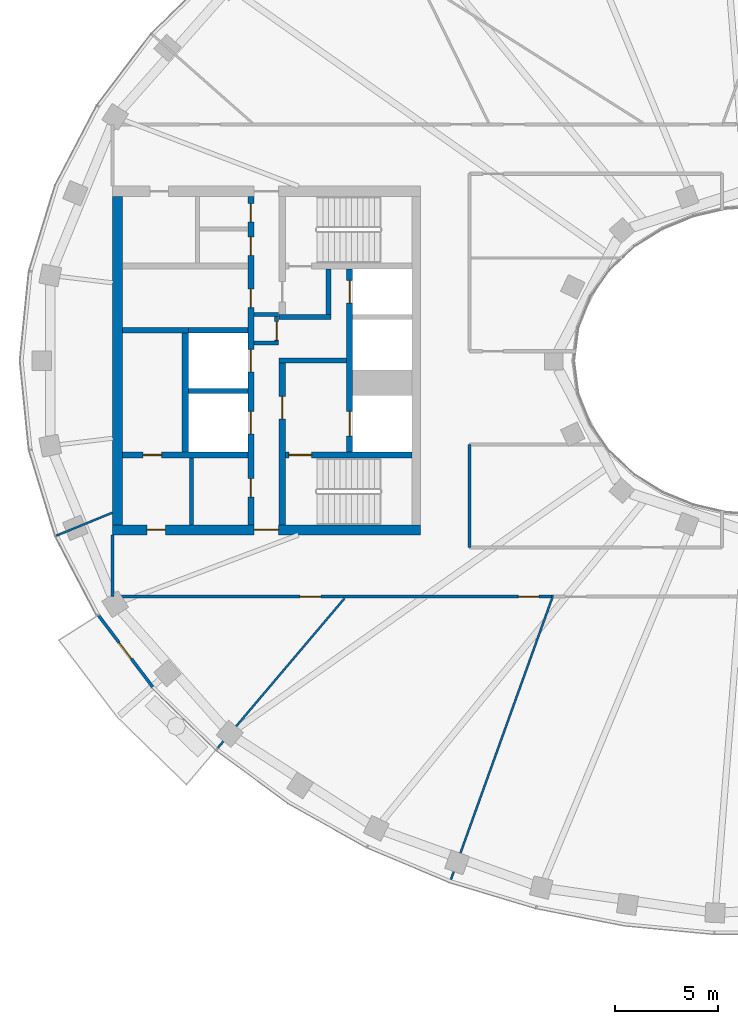
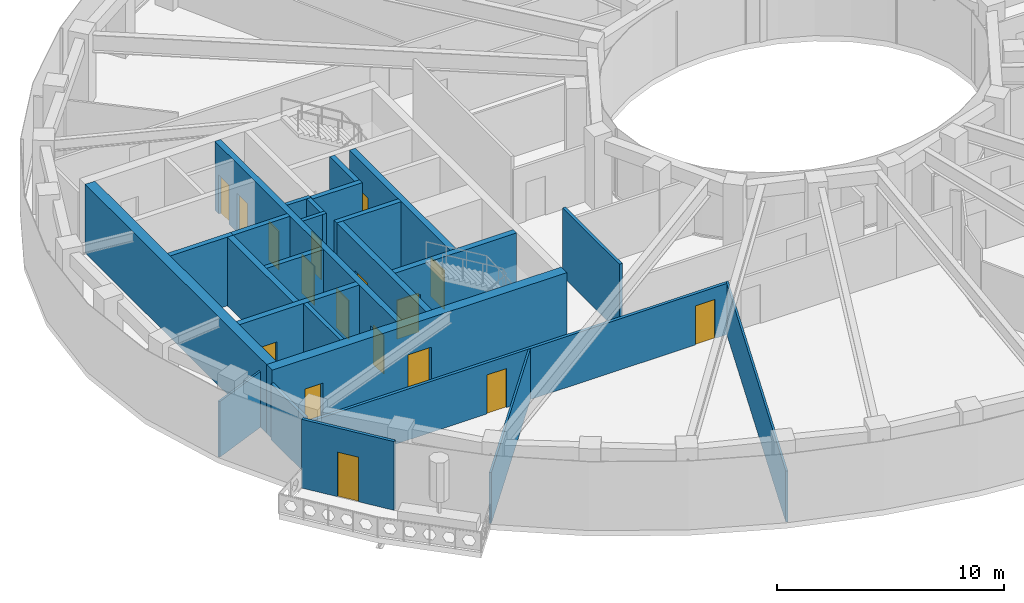
# One storey, part 3 of 16: 25 walls, 17 doors, 17 openings.
"""IFC4 building model written with IfcOpenShell, lengths in metres."""

import ifcopenshell
import ifcopenshell.guid

model = None  # the IFC model being written
_history = None  # IfcOwnerHistory: only IFC2X3 demands one
_inside = {}  # id of a spatial element -> (the spatial element, [elements in it])
_under = {}  # id of a project, library or spatial element -> (it, [spatial elements below it])
_declared = {}  # id of a project -> (the project, [libraries it declares])
_typed = {}  # id of a type object -> (the type object, [elements of that type])
_made_of = {}  # id of a material, layer set ... -> (it, [elements and type objects made of it])


def new_model(schema):
    """Start an empty IFC model of exactly this schema.

    Asked for "IFC4X3", IfcOpenShell would pick the latest addendum, in which some entities
    have other attributes; the version numbers below select the first issue.
    IFC2X3 requires an IfcOwnerHistory on every rooted entity: one is made here for all.
    """
    global model, _history
    if schema == "IFC4X3":
        model = ifcopenshell.file(schema_version=(4, 3, 0, 0))
    else:
        model = ifcopenshell.file(schema=schema)
    _inside.clear()
    _under.clear()
    _declared.clear()
    _typed.clear()
    _made_of.clear()
    _history = None
    if model.schema == "IFC2X3":
        org = make("IfcOrganization", Name="unknown")
        user = make(
            "IfcPersonAndOrganization",
            ThePerson=make("IfcPerson", FamilyName="unknown"),
            TheOrganization=org,
        )
        app = make(
            "IfcApplication",
            ApplicationDeveloper=org,
            Version="unknown",
            ApplicationFullName="unknown",
            ApplicationIdentifier="unknown",
        )
        _history = make(
            "IfcOwnerHistory",
            OwningUser=user,
            OwningApplication=app,
            ChangeAction="ADDED",
            CreationDate=0,
        )
    return model


def make(cls, **values):
    """One entity of the class cls with the attributes given. An attribute that is None is left unset."""
    return model.create_entity(
        cls, **{name: value for name, value in values.items() if value is not None}
    )


def rooted(cls, **values):
    """An entity with a GlobalId (a new one), such as an element, a storey or a relation."""
    return make(cls, GlobalId=ifcopenshell.guid.new(), OwnerHistory=_history, **values)


def si_unit(unit_type, name, prefix=None):
    """IfcSIUnit, for example si_unit("LENGTHUNIT", "METRE", prefix="MILLI")."""
    return make("IfcSIUnit", UnitType=unit_type, Prefix=prefix, Name=name)


def assignment(units):
    """IfcUnitAssignment: the units of a project."""
    return None if units is None else make("IfcUnitAssignment", Units=units)


def point(xyz):
    """IfcCartesianPoint."""
    return None if xyz is None else make("IfcCartesianPoint", Coordinates=xyz)


def direction(xyz):
    """IfcDirection."""
    return None if xyz is None else make("IfcDirection", DirectionRatios=xyz)


def frame(location, z_axis=None, x_axis=None):
    """IfcAxis2Placement3D, a coordinate frame: its origin and axes. An axis left out is left unset."""
    return make(
        "IfcAxis2Placement3D",
        Location=point(location),
        Axis=direction(z_axis),
        RefDirection=direction(x_axis),
    )


def frame_2d(location, x_axis=None):
    """IfcAxis2Placement2D, a coordinate frame in the plane: its origin and x axis."""
    return make(
        "IfcAxis2Placement2D", Location=point(location), RefDirection=direction(x_axis)
    )


def origin():
    """The frame at (0, 0, 0) with its axes left unset."""
    return frame((0.0, 0.0, 0.0))


def place(relative_to, where):
    """IfcLocalPlacement: puts the frame where relative to a parent placement (None: the world)."""
    return make(
        "IfcLocalPlacement", PlacementRelTo=relative_to, RelativePlacement=where
    )


def context(
    kind, dimensions, precision=None, world=None, true_north=None, identifier=None
):
    """IfcGeometricRepresentationContext, for example the 3D "Model" context."""
    return make(
        "IfcGeometricRepresentationContext",
        ContextIdentifier=identifier,
        ContextType=kind,
        CoordinateSpaceDimension=dimensions,
        Precision=precision,
        WorldCoordinateSystem=world,
        TrueNorth=true_north,
    )


def subcontext(parent, identifier, kind, view, scale=None):
    """IfcGeometricRepresentationSubContext, for example "Body" below "Model"."""
    return make(
        "IfcGeometricRepresentationSubContext",
        ContextIdentifier=identifier,
        ContextType=kind,
        ParentContext=parent,
        TargetScale=scale,
        TargetView=view,
    )


def project(units=None, contexts=None):
    """IfcProject with its units and contexts."""
    return rooted(
        "IfcProject",
        Name="project",
        RepresentationContexts=contexts,
        UnitsInContext=assignment(units),
    )


def spatial(cls, under=None, at=None, **own):
    """A site, building, storey or space (cls), placed at a placement, below another one or the project."""
    s = rooted(cls, ObjectPlacement=at, **own)
    if under is not None:
        _under.setdefault(under.id(), (under, []))[1].append(s)
    return s


def profile(cls, at=None, kind="AREA", **sizes):
    """A parametric profile (cls). Its sizes go by their IFC names, for example OverallWidth=200.0."""
    return make(cls, ProfileType=kind, Position=at, **sizes)


def rectangle(**sizes):
    """IfcRectangleProfileDef."""
    return profile("IfcRectangleProfileDef", **sizes)


def extrude(swept, where, along, depth):
    """IfcExtrudedAreaSolid: the profile swept, set in the frame where, extruded along a direction by depth."""
    return make(
        "IfcExtrudedAreaSolid",
        SweptArea=swept,
        Position=where,
        ExtrudedDirection=direction(along),
        Depth=depth,
    )


def shape(context_of_items, identifier, shape_type, items):
    """IfcShapeRepresentation: the items that make up one representation, for example the "Body"."""
    return make(
        "IfcShapeRepresentation",
        ContextOfItems=context_of_items,
        RepresentationIdentifier=identifier,
        RepresentationType=shape_type,
        Items=items,
    )


def material(Name=None, Category=None):
    """IfcMaterial."""
    return make("IfcMaterial", Name=Name, Category=Category)


def layer(
    of_material, thickness, ventilated=None, Name=None, Category=None, Priority=None
):
    """IfcMaterialLayer: one layer of a wall or slab, of a material (None: an air gap)."""
    return make(
        "IfcMaterialLayer",
        Material=of_material,
        LayerThickness=thickness,
        IsVentilated=ventilated,
        Name=Name,
        Category=Category,
        Priority=Priority,
    )


def layer_set(layers, Name=None):
    """IfcMaterialLayerSet."""
    return make("IfcMaterialLayerSet", MaterialLayers=layers, LayerSetName=Name)


def made_of(thing, what):
    """Note that an element or type object is made of a material, layer set ...; save() writes the relation."""
    if what is not None:
        _made_of.setdefault(what.id(), (what, []))[1].append(thing)
    return thing


def type_object(cls, material=None, **own):
    """A type object (cls), such as IfcWallType, which elements share."""
    return made_of(rooted(cls, **own), material)


def element(
    cls,
    number,
    at=None,
    inside=None,
    cuts=None,
    type_object=None,
    material=None,
    context=None,
    identifier="Body",
    shape_type=None,
    held_by="IfcProductDefinitionShape",
    body=None,
    shapes=None,
    **own,
):
    """One element of the class cls, such as IfcWall. Its Tag is "e" and its number.

    at: its placement. inside: the storey or other place that contains it. cuts: it is an
    opening in that element (IfcRelVoidsElement). A single representation is given by context,
    identifier, shape_type and body (its items); several are given by shapes. held_by: the class
    of the entity that holds the representations. save() writes the other relations.
    """
    e = rooted(cls, Tag="e%d" % number, ObjectPlacement=at, **own)
    if body is not None:
        shapes = [shape(context, identifier, shape_type, body)]
    if shapes is not None:
        e.Representation = make(held_by, Representations=shapes)
    if inside is not None:
        _inside.setdefault(inside.id(), (inside, []))[1].append(e)
    if cuts is not None:
        rooted(
            "IfcRelVoidsElement", RelatingBuildingElement=cuts, RelatedOpeningElement=e
        )
    if type_object is not None:
        _typed.setdefault(type_object.id(), (type_object, []))[1].append(e)
    return made_of(e, material)


def fill(opening, filler):
    """IfcRelFillsElement: the door or window that sits in an opening."""
    return rooted(
        "IfcRelFillsElement",
        RelatingOpeningElement=opening,
        RelatedBuildingElement=filler,
    )


def aggregate(whole, parts):
    """IfcRelAggregates: a whole, such as a stair, and the parts it consists of."""
    return rooted("IfcRelAggregates", RelatingObject=whole, RelatedObjects=parts)


def save(model, path):
    """Write the relations noted so far, then the file.

    IfcRelAggregates (storeys below a building ...), IfcRelContainedInSpatialStructure (elements
    in a storey), IfcRelDefinesByType, IfcRelAssociatesMaterial and IfcRelDeclares: one each for
    every whole, place, type object, material and project.
    """
    for whole, parts in _under.values():
        aggregate(whole, parts)
    for where, things in _inside.values():
        rooted(
            "IfcRelContainedInSpatialStructure",
            RelatedElements=things,
            RelatingStructure=where,
        )
    for kind, things in _typed.values():
        rooted("IfcRelDefinesByType", RelatedObjects=things, RelatingType=kind)
    for what, things in _made_of.values():
        rooted("IfcRelAssociatesMaterial", RelatedObjects=things, RelatingMaterial=what)
    for by, libraries in _declared.values():
        rooted("IfcRelDeclares", RelatingContext=by, RelatedDefinitions=libraries)
    model.write(path)


model = new_model("IFC4")

# Units and contexts
model_context = context("Model", 3, precision=1e-05, world=origin(), true_north=direction((0.0, 1.0)))
body_context = subcontext(model_context, "Body", "Model", "MODEL_VIEW")
ifc_project = project(units=[si_unit("LENGTHUNIT", "METRE"), si_unit("AREAUNIT", "SQUARE_METRE"), si_unit("VOLUMEUNIT", "CUBIC_METRE"), si_unit("PLANEANGLEUNIT", "RADIAN"), si_unit("MASSUNIT", "GRAM", prefix="KILO")], contexts=[model_context])

# Site, building, storey
site_placement = place(None, origin())
site = spatial("IfcSite", under=ifc_project, at=site_placement, CompositionType="ELEMENT")
building_placement = place(site_placement, origin())
building = spatial("IfcBuilding", under=site, at=building_placement, Name="Noorbagh Ring Tower", CompositionType="ELEMENT")
storey_placement = place(building_placement, frame((0.0, 0.0, 299.0)))
storey = spatial("IfcBuildingStorey", under=building, at=storey_placement, Name="L64", CompositionType="ELEMENT", Elevation=299.0)

# Walls
ifc_material_1 = material(Name="Gypsum board on steel studs", Category="steel")
ifc_layer_1 = layer(ifc_material_1, 0.199951171875)
ifc_layer_set_1 = layer_set([ifc_layer_1], Name="Gypsum board on steel studs")
wall_type_1 = type_object("IfcWallType", Name="CORE-PARTITION-200", PredefinedType="PARTITIONING", material=ifc_layer_set_1)
for number, where, z_axis, x_axis, name in (
    (1, (-23.39990234375, 0.85009765625, 0.0), (0.0, 0.0, 1.0), (-1.0, 0.0, 0.0), "Core partition W"),
    (2, (-23.39990234375, 2.25, 0.0), (0.0, 0.0, 1.0), (-1.0, 0.0, 0.0), "Core partition W"),
):
    element("IfcWall", number, at=place(storey_placement, frame(where, z_axis=z_axis, x_axis=x_axis)), inside=storey, type_object=wall_type_1, Name=name, PredefinedType="PARTITIONING", context=body_context, shape_type="SweptSolid", body=[
        extrude(rectangle(XDim=1.2001953125, YDim=0.199951171875, at=frame_2d((0.60009765625, 0.0))), origin(), (0.0, 0.0, 1.0), 3.699951171875),
    ])

# Wall, opening, door
wall_1_placement = place(storey_placement, frame((-23.5, 0.75, 0.0), z_axis=(0.0, 0.0, 1.0), x_axis=(0.0, 1.0, 0.0)))
wall_1 = element("IfcWall", 3, at=wall_1_placement, inside=storey, type_object=wall_type_1, Name="Core partition W", PredefinedType="PARTITIONING", context=body_context, shape_type="SweptSolid", body=[
    extrude(rectangle(XDim=1.60009765625, YDim=0.199951171875, at=frame_2d((0.800048828125, 0.0))), origin(), (0.0, 0.0, 1.0), 3.699951171875),
])
opening_1_placement = place(wall_1_placement, frame((0.25, 0.0, 0.0)))
opening_1 = element("IfcOpeningElement", 4, at=opening_1_placement, cuts=wall_1, Name="Opening L64-CW17", PredefinedType="OPENING", context=body_context, shape_type="SweptSolid", body=[
    extrude(rectangle(XDim=0.89990234375, YDim=2.10009765625, at=frame_2d((0.449951171875, 1.050048828125))), frame((0.0, 0.10986328125, 0.0), z_axis=(0.0, -1.0, 0.0), x_axis=(1.0, 0.0, 0.0)), (0.0, 0.0, 1.0), 0.219970703125),
])
ifc_material_2 = material(Name="Steel door leaf", Category="steel")
door_type_1 = type_object("IfcDoorType", Name="CORE-DOOR-DROOM", OperationType="SINGLE_SWING_LEFT", PredefinedType="DOOR", material=ifc_material_2)
door_1_placement = place(opening_1_placement, origin())
door_1 = element("IfcDoor", 5, at=door_1_placement, inside=storey, type_object=door_type_1, Name="Core room door L64-CW17", OperationType="SINGLE_SWING_RIGHT", OverallHeight=2.10009765625, OverallWidth=0.89990234375, PredefinedType="DOOR", context=body_context, shape_type="SweptSolid", body=[
    extrude(rectangle(XDim=0.89990234375, YDim=2.10009765625, at=frame_2d((0.449951171875, 1.050048828125))), frame((0.0, 0.02490234375, 0.0), z_axis=(0.0, -1.0, 0.0), x_axis=(1.0, 0.0, 0.0)), (0.0, 0.0, 1.0), 0.050048828125),
])
fill(opening_1, door_1)

# Walls
wall_2_placement = place(storey_placement, frame((-27.64990234375, -8.0, 0.0), z_axis=(0.0, 0.0, 1.0), x_axis=(0.0, 1.0, 0.0)))
element("IfcWall", 6, at=wall_2_placement, inside=storey, type_object=wall_type_1, Name="Core partition W", PredefinedType="PARTITIONING", context=body_context, shape_type="SweptSolid", body=[
    extrude(rectangle(XDim=3.25, YDim=0.199951171875, at=frame_2d((1.625, 0.0))), origin(), (0.0, 0.0, 1.0), 3.699951171875),
])
ifc_material_3 = material(Name="Concrete C50/60", Category="concrete")
ifc_layer_2 = layer(ifc_material_3, 0.25)
ifc_layer_set_2 = layer_set([ifc_layer_2], Name="Concrete C50/60")
wall_type_2 = type_object("IfcWallType", Name="CORE-WALL-250-C50-60-EI120", PredefinedType="SHEAR", material=ifc_layer_set_2)
wall_3_placement = place(storey_placement, frame((-27.800048828125, 1.47509765625, 0.0), z_axis=(0.0, 0.0, 1.0), x_axis=(-1.0, 0.0, 0.0)))
element("IfcWall", 7, at=wall_3_placement, inside=storey, type_object=wall_type_2, Name="Core wall W", PredefinedType="SHEAR", context=body_context, shape_type="SweptSolid", body=[
    extrude(rectangle(XDim=3.199951171875, YDim=0.25, at=frame_2d((1.60009765625, 0.0))), origin(), (0.0, 0.0, 1.0), 3.699951171875),
])
for number, where, z_axis, x_axis, name in (
    (8, (-24.89990234375, -1.47509765625, 0.0), (0.0, 0.0, 1.0), (-1.0, 0.0, 0.0), "Core wall W"),
    (9, (-24.89990234375, 1.47509765625, 0.0), (0.0, 0.0, 1.0), (-1.0, 0.0, 0.0), "Core wall W"),
):
    element("IfcWall", number, at=place(storey_placement, frame(where, z_axis=z_axis, x_axis=x_axis)), inside=storey, type_object=wall_type_2, Name=name, PredefinedType="SHEAR", context=body_context, shape_type="SweptSolid", body=[
        extrude(rectangle(XDim=2.900146484375, YDim=0.25, at=frame_2d((1.4501953125, 0.0))), origin(), (0.0, 0.0, 1.0), 3.699951171875),
    ])
ifc_material_4 = material(Name="Concrete C50/60", Category="concrete")
ifc_layer_3 = layer(ifc_material_4, 0.25)
ifc_layer_set_3 = layer_set([ifc_layer_3], Name="Concrete C50/60")
wall_type_3 = type_object("IfcWallType", Name="CORE-WALL-250-C50-60-EI240", PredefinedType="SHEAR", material=ifc_layer_set_3)
wall_4_placement = place(storey_placement, frame((-20.10009765625, 0.0, 0.0), z_axis=(0.0, 0.0, 1.0), x_axis=(-1.0, 0.0, 0.0)))
element("IfcWall", 10, at=wall_4_placement, inside=storey, type_object=wall_type_3, Name="Core wall W", PredefinedType="SHEAR", context=body_context, shape_type="SweptSolid", body=[
    extrude(rectangle(XDim=3.27978515625, YDim=0.25, at=frame_2d((1.639892578125, 0.0))), origin(), (0.0, 0.0, 1.0), 3.699951171875),
])
wall_5_placement = place(storey_placement, frame((-20.85009765625, 2.125, 0.0), z_axis=(0.0, 0.0, 1.0), x_axis=(-1.0, 0.0, 0.0)))
element("IfcWall", 11, at=wall_5_placement, inside=storey, type_object=wall_type_3, Name="Core wall W", PredefinedType="SHEAR", context=body_context, shape_type="SweptSolid", body=[
    extrude(rectangle(XDim=2.52978515625, YDim=0.25, at=frame_2d((1.264892578125, 0.0))), origin(), (0.0, 0.0, 1.0), 3.699951171875),
])
wall_6_placement = place(storey_placement, frame((-20.97509765625, 2.25, 0.0), z_axis=(0.0, 0.0, 1.0), x_axis=(0.0, 1.0, 0.0)))
element("IfcWall", 12, at=wall_6_placement, inside=storey, type_object=wall_type_3, Name="Core wall W", PredefinedType="SHEAR", context=body_context, shape_type="SweptSolid", body=[
    extrude(rectangle(XDim=2.199951171875, YDim=0.25, at=frame_2d((1.10009765625, 0.0))), origin(), (0.0, 0.0, 1.0), 3.699951171875),
])
ifc_material_5 = material(Name="Concrete C50/60", Category="concrete")
ifc_layer_4 = layer(ifc_material_5, 0.300048828125)
ifc_layer_set_4 = layer_set([ifc_layer_4], Name="Concrete C50/60")
wall_type_4 = type_object("IfcWallType", Name="CORE-WALL-300-C50-60-EI120", PredefinedType="SHEAR", material=ifc_layer_set_4)
wall_7_placement = place(storey_placement, frame((-27.949951171875, -4.449951171875, 0.0), z_axis=(0.0, 0.0, 1.0), x_axis=(0.0, 1.0, 0.0)))
element("IfcWall", 13, at=wall_7_placement, inside=storey, type_object=wall_type_4, Name="Core wall W", PredefinedType="SHEAR", context=body_context, shape_type="SweptSolid", body=[
    extrude(rectangle(XDim=5.800048828125, YDim=0.300048828125, at=frame_2d((2.89990234375, 0.0))), origin(), (0.0, 0.0, 1.0), 3.699951171875),
])

# Wall, openings, doors
wall_8_placement = place(storey_placement, frame((-19.949951171875, -4.449951171875, 0.0), z_axis=(0.0, 0.0, 1.0), x_axis=(0.0, 1.0, 0.0)))
wall_8 = element("IfcWall", 14, at=wall_8_placement, inside=storey, type_object=wall_type_4, Name="Core wall W", PredefinedType="SHEAR", context=body_context, shape_type="SweptSolid", body=[
    extrude(rectangle(XDim=8.89990234375, YDim=0.300048828125, at=frame_2d((4.449951171875, 0.0))), origin(), (0.0, 0.0, 1.0), 3.699951171875),
])
opening_2_placement = place(wall_8_placement, frame((0.77490234375, 0.0, 0.0)))
opening_2 = element("IfcOpeningElement", 15, at=opening_2_placement, cuts=wall_8, Name="Opening L64-CW01", PredefinedType="OPENING", context=body_context, shape_type="SweptSolid", body=[
    extrude(rectangle(XDim=1.199951171875, YDim=2.10009765625, at=frame_2d((0.60009765625, 1.050048828125))), frame((0.0, 0.16015625, 0.0), z_axis=(0.0, -1.0, 0.0), x_axis=(1.0, 0.0, 0.0)), (0.0, 0.0, 1.0), 0.320068359375),
])
opening_3_placement = place(wall_8_placement, frame((7.25, 0.0, 0.0)))
opening_3 = element("IfcOpeningElement", 16, at=opening_3_placement, cuts=wall_8, Name="Opening L64-CW02", PredefinedType="OPENING", context=body_context, shape_type="SweptSolid", body=[
    extrude(rectangle(XDim=1.10009765625, YDim=2.10009765625, at=frame_2d((0.550048828125, 1.050048828125))), frame((0.0, 0.16015625, 0.0), z_axis=(0.0, -1.0, 0.0), x_axis=(1.0, 0.0, 0.0)), (0.0, 0.0, 1.0), 0.320068359375),
])
ifc_material_6 = material(Name="Steel door leaf", Category="steel")
door_type_2 = type_object("IfcDoorType", Name="CORE-DOOR-LD", OperationType="DOUBLE_DOOR_SLIDING", PredefinedType="DOOR", material=ifc_material_6)
door_2_placement = place(opening_3_placement, origin())
door_2 = element("IfcDoor", 17, at=door_2_placement, inside=storey, type_object=door_type_2, Name="Landing door HR1 L64-CW02", OperationType="DOUBLE_DOOR_SLIDING", OverallHeight=2.10009765625, OverallWidth=1.10009765625, PredefinedType="DOOR", context=body_context, shape_type="SweptSolid", body=[
    extrude(rectangle(XDim=1.10009765625, YDim=2.10009765625, at=frame_2d((0.550048828125, 1.050048828125))), frame((0.0, 0.02490234375, 0.0), z_axis=(0.0, -1.0, 0.0), x_axis=(1.0, 0.0, 0.0)), (0.0, 0.0, 1.0), 0.050048828125),
])
fill(opening_3, door_2)
ifc_material_7 = material(Name="Steel door leaf", Category="steel")
door_type_3 = type_object("IfcDoorType", Name="CORE-DOOR-LDW", OperationType="DOUBLE_DOOR_SLIDING", PredefinedType="DOOR", material=ifc_material_7)
door_3_placement = place(opening_2_placement, origin())
door_3 = element("IfcDoor", 18, at=door_3_placement, inside=storey, type_object=door_type_3, Name="Landing door FF1 L64-CW01", OperationType="DOUBLE_DOOR_SLIDING", OverallHeight=2.10009765625, OverallWidth=1.199951171875, PredefinedType="DOOR", context=body_context, shape_type="SweptSolid", body=[
    extrude(rectangle(XDim=1.199951171875, YDim=2.10009765625, at=frame_2d((0.60009765625, 1.050048828125))), frame((0.0, 0.02490234375, 0.0), z_axis=(0.0, -1.0, 0.0), x_axis=(1.0, 0.0, 0.0)), (0.0, 0.0, 1.0), 0.050048828125),
])
fill(opening_2, door_3)

wall_9_placement = place(storey_placement, frame((-24.75, -8.0, 0.0), z_axis=(0.0, 0.0, 1.0), x_axis=(0.0, 1.0, 0.0)))
wall_9 = element("IfcWall", 19, at=wall_9_placement, inside=storey, type_object=wall_type_4, Name="Core wall W", PredefinedType="SHEAR", context=body_context, shape_type="SweptSolid", body=[
    extrude(rectangle(XDim=16.0, YDim=0.300048828125, at=frame_2d((8.0, 0.0))), origin(), (0.0, 0.0, 1.0), 3.699951171875),
])
opening_4_placement = place(wall_9_placement, frame((4.425048828125, 0.0, 0.0)))
opening_4 = element("IfcOpeningElement", 20, at=opening_4_placement, cuts=wall_9, Name="Opening L64-CW03", PredefinedType="OPENING", context=body_context, shape_type="SweptSolid", body=[
    extrude(rectangle(XDim=1.10009765625, YDim=2.10009765625, at=frame_2d((0.550048828125, 1.050048828125))), frame((0.0, 0.16015625, 0.0), z_axis=(0.0, -1.0, 0.0), x_axis=(1.0, 0.0, 0.0)), (0.0, 0.0, 1.0), 0.320068359375),
])
opening_5_placement = place(wall_9_placement, frame((7.449951171875, 0.0, 0.0)))
opening_5 = element("IfcOpeningElement", 21, at=opening_5_placement, cuts=wall_9, Name="Opening L64-CW04", PredefinedType="OPENING", context=body_context, shape_type="SweptSolid", body=[
    extrude(rectangle(XDim=1.10009765625, YDim=2.10009765625, at=frame_2d((0.550048828125, 1.050048828125))), frame((0.0, 0.16015625, 0.0), z_axis=(0.0, -1.0, 0.0), x_axis=(1.0, 0.0, 0.0)), (0.0, 0.0, 1.0), 0.320068359375),
])
opening_6_placement = place(wall_9_placement, frame((10.574951171875, 0.0, 0.0)))
opening_6 = element("IfcOpeningElement", 22, at=opening_6_placement, cuts=wall_9, Name="Opening L64-CW11", PredefinedType="OPENING", context=body_context, shape_type="SweptSolid", body=[
    extrude(rectangle(XDim=0.89990234375, YDim=2.10009765625, at=frame_2d((0.449951171875, 1.050048828125))), frame((0.0, 0.16015625, 0.0), z_axis=(0.0, -1.0, 0.0), x_axis=(1.0, 0.0, 0.0)), (0.0, 0.0, 1.0), 0.320068359375),
])
opening_7_placement = place(wall_9_placement, frame((13.125, 0.0, 0.0)))
opening_7 = element("IfcOpeningElement", 23, at=opening_7_placement, cuts=wall_9, Name="Opening L64-CW12", PredefinedType="OPENING", context=body_context, shape_type="SweptSolid", body=[
    extrude(rectangle(XDim=0.89990234375, YDim=2.10009765625, at=frame_2d((0.449951171875, 1.050048828125))), frame((0.0, 0.16015625, 0.0), z_axis=(0.0, -1.0, 0.0), x_axis=(1.0, 0.0, 0.0)), (0.0, 0.0, 1.0), 0.320068359375),
])
opening_8_placement = place(wall_9_placement, frame((14.75, 0.0, 0.0)))
opening_8 = element("IfcOpeningElement", 24, at=opening_8_placement, cuts=wall_9, Name="Opening L64-CW13", PredefinedType="OPENING", context=body_context, shape_type="SweptSolid", body=[
    extrude(rectangle(XDim=0.89990234375, YDim=2.10009765625, at=frame_2d((0.449951171875, 1.050048828125))), frame((0.0, 0.16015625, 0.0), z_axis=(0.0, -1.0, 0.0), x_axis=(1.0, 0.0, 0.0)), (0.0, 0.0, 1.0), 0.320068359375),
])
opening_9_placement = place(wall_9_placement, frame((1.35009765625, 0.0, 0.0)))
opening_9 = element("IfcOpeningElement", 25, at=opening_9_placement, cuts=wall_9, Name="Opening L64-CW15", PredefinedType="OPENING", context=body_context, shape_type="SweptSolid", body=[
    extrude(rectangle(XDim=0.89990234375, YDim=2.10009765625, at=frame_2d((0.449951171875, 1.050048828125))), frame((0.0, 0.16015625, 0.0), z_axis=(0.0, -1.0, 0.0), x_axis=(1.0, 0.0, 0.0)), (0.0, 0.0, 1.0), 0.320068359375),
])
door_4_placement = place(opening_6_placement, origin())
door_4 = element("IfcDoor", 26, at=door_4_placement, inside=storey, type_object=door_type_1, Name="Core room door L64-CW11", OperationType="SINGLE_SWING_RIGHT", OverallHeight=2.10009765625, OverallWidth=0.89990234375, PredefinedType="DOOR", context=body_context, shape_type="SweptSolid", body=[
    extrude(rectangle(XDim=0.89990234375, YDim=2.10009765625, at=frame_2d((0.449951171875, 1.050048828125))), frame((0.0, 0.02490234375, 0.0), z_axis=(0.0, -1.0, 0.0), x_axis=(1.0, 0.0, 0.0)), (0.0, 0.0, 1.0), 0.050048828125),
])
fill(opening_6, door_4)
door_5_placement = place(opening_7_placement, origin())
door_5 = element("IfcDoor", 27, at=door_5_placement, inside=storey, type_object=door_type_1, Name="Core room door L64-CW12", OperationType="SINGLE_SWING_LEFT", OverallHeight=2.10009765625, OverallWidth=0.89990234375, PredefinedType="DOOR", context=body_context, shape_type="SweptSolid", body=[
    extrude(rectangle(XDim=0.89990234375, YDim=2.10009765625, at=frame_2d((0.449951171875, 1.050048828125))), frame((0.0, 0.02490234375, 0.0), z_axis=(0.0, -1.0, 0.0), x_axis=(1.0, 0.0, 0.0)), (0.0, 0.0, 1.0), 0.050048828125),
])
fill(opening_7, door_5)
door_6_placement = place(opening_8_placement, origin())
door_6 = element("IfcDoor", 28, at=door_6_placement, inside=storey, type_object=door_type_1, Name="Core room door L64-CW13", OperationType="SINGLE_SWING_RIGHT", OverallHeight=2.10009765625, OverallWidth=0.89990234375, PredefinedType="DOOR", context=body_context, shape_type="SweptSolid", body=[
    extrude(rectangle(XDim=0.89990234375, YDim=2.10009765625, at=frame_2d((0.449951171875, 1.050048828125))), frame((0.0, 0.02490234375, 0.0), z_axis=(0.0, -1.0, 0.0), x_axis=(1.0, 0.0, 0.0)), (0.0, 0.0, 1.0), 0.050048828125),
])
fill(opening_8, door_6)
door_7_placement = place(opening_9_placement, origin())
door_7 = element("IfcDoor", 29, at=door_7_placement, inside=storey, type_object=door_type_1, Name="Core room door L64-CW15", OperationType="SINGLE_SWING_LEFT", OverallHeight=2.10009765625, OverallWidth=0.89990234375, PredefinedType="DOOR", context=body_context, shape_type="SweptSolid", body=[
    extrude(rectangle(XDim=0.89990234375, YDim=2.10009765625, at=frame_2d((0.449951171875, 1.050048828125))), frame((0.0, 0.02490234375, 0.0), z_axis=(0.0, -1.0, 0.0), x_axis=(1.0, 0.0, 0.0)), (0.0, 0.0, 1.0), 0.050048828125),
])
fill(opening_9, door_7)
door_8_placement = place(opening_4_placement, origin())
door_8 = element("IfcDoor", 30, at=door_8_placement, inside=storey, type_object=door_type_2, Name="Landing door HR5 L64-CW03", OperationType="DOUBLE_DOOR_SLIDING", OverallHeight=2.10009765625, OverallWidth=1.10009765625, PredefinedType="DOOR", context=body_context, shape_type="SweptSolid", body=[
    extrude(rectangle(XDim=1.10009765625, YDim=2.10009765625, at=frame_2d((0.550048828125, 1.050048828125))), frame((0.0, 0.02490234375, 0.0), z_axis=(0.0, -1.0, 0.0), x_axis=(1.0, 0.0, 0.0)), (0.0, 0.0, 1.0), 0.050048828125),
])
fill(opening_4, door_8)
door_9_placement = place(opening_5_placement, origin())
door_9 = element("IfcDoor", 31, at=door_9_placement, inside=storey, type_object=door_type_2, Name="Landing door HR6 L64-CW04", OperationType="DOUBLE_DOOR_SLIDING", OverallHeight=2.10009765625, OverallWidth=1.10009765625, PredefinedType="DOOR", context=body_context, shape_type="SweptSolid", body=[
    extrude(rectangle(XDim=1.10009765625, YDim=2.10009765625, at=frame_2d((0.550048828125, 1.050048828125))), frame((0.0, 0.02490234375, 0.0), z_axis=(0.0, -1.0, 0.0), x_axis=(1.0, 0.0, 0.0)), (0.0, 0.0, 1.0), 0.050048828125),
])
fill(opening_5, door_9)

# Wall, opening, door
ifc_material_8 = material(Name="Concrete C50/60", Category="concrete")
ifc_layer_5 = layer(ifc_material_8, 0.300048828125)
ifc_layer_set_5 = layer_set([ifc_layer_5], Name="Concrete C50/60")
wall_type_5 = type_object("IfcWallType", Name="CORE-WALL-300-C50-60-EI240", PredefinedType="SHEAR", material=ifc_layer_set_5)
wall_10_placement = place(storey_placement, frame((-24.89990234375, -4.60009765625, 0.0), z_axis=(0.0, 0.0, 1.0), x_axis=(-1.0, 0.0, 0.0)))
wall_10 = element("IfcWall", 32, at=wall_10_placement, inside=storey, type_object=wall_type_5, Name="Core wall W", PredefinedType="SHEAR", context=body_context, shape_type="SweptSolid", body=[
    extrude(rectangle(XDim=6.10009765625, YDim=0.300048828125, at=frame_2d((3.050048828125, 0.0))), origin(), (0.0, 0.0, 1.0), 3.699951171875),
])
opening_10_placement = place(wall_10_placement, frame((4.199951171875, 0.0, 0.0)))
opening_10 = element("IfcOpeningElement", 33, at=opening_10_placement, cuts=wall_10, Name="Opening L64-CW18", PredefinedType="OPENING", context=body_context, shape_type="SweptSolid", body=[
    extrude(rectangle(XDim=0.89990234375, YDim=2.10009765625, at=frame_2d((0.449951171875, 1.050048828125))), frame((0.0, 0.16015625, 0.0), z_axis=(0.0, -1.0, 0.0), x_axis=(1.0, 0.0, 0.0)), (0.0, 0.0, 1.0), 0.320068359375),
])
door_10_placement = place(opening_10_placement, origin())
door_10 = element("IfcDoor", 34, at=door_10_placement, inside=storey, type_object=door_type_1, Name="Core room door L64-CW18", OperationType="SINGLE_SWING_RIGHT", OverallHeight=2.10009765625, OverallWidth=0.89990234375, PredefinedType="DOOR", context=body_context, shape_type="SweptSolid", body=[
    extrude(rectangle(XDim=0.89990234375, YDim=2.10009765625, at=frame_2d((0.449951171875, 1.050048828125))), frame((0.0, 0.02490234375, 0.0), z_axis=(0.0, -1.0, 0.0), x_axis=(1.0, 0.0, 0.0)), (0.0, 0.0, 1.0), 0.050048828125),
])
fill(opening_10, door_10)

wall_11_placement = place(storey_placement, frame((-23.22998046875, -8.0, 0.0), z_axis=(0.0, 0.0, 1.0), x_axis=(0.0, 1.0, 0.0)))
wall_11 = element("IfcWall", 35, at=wall_11_placement, inside=storey, type_object=wall_type_5, Name="Core wall W", PredefinedType="SHEAR", context=body_context, shape_type="SweptSolid", body=[
    extrude(rectangle(XDim=7.875, YDim=0.300048828125, at=frame_2d((3.9375, 0.0))), origin(), (0.0, 0.0, 1.0), 3.699951171875),
])
opening_11_placement = place(wall_11_placement, frame((5.14990234375, 0.0, 0.0)))
opening_11 = element("IfcOpeningElement", 36, at=opening_11_placement, cuts=wall_11, Name="Opening L64-CW07", PredefinedType="OPENING", context=body_context, shape_type="SweptSolid", body=[
    extrude(rectangle(XDim=1.10009765625, YDim=2.10009765625, at=frame_2d((0.550048828125, 1.050048828125))), frame((0.0, 0.16015625, 0.0), z_axis=(0.0, -1.0, 0.0), x_axis=(1.0, 0.0, 0.0)), (0.0, 0.0, 1.0), 0.320068359375),
])
ifc_material_9 = material(Name="Steel door leaf", Category="steel")
door_type_4 = type_object("IfcDoorType", Name="CORE-DOOR-DFF", OperationType="SINGLE_SWING_LEFT", PredefinedType="DOOR", material=ifc_material_9)
door_11_placement = place(opening_11_placement, origin())
door_11 = element("IfcDoor", 37, at=door_11_placement, inside=storey, type_object=door_type_4, Name="Firefighting lobby door L64-CW07", OperationType="SINGLE_SWING_LEFT", OverallHeight=2.10009765625, OverallWidth=1.10009765625, PredefinedType="DOOR", context=body_context, shape_type="SweptSolid", body=[
    extrude(rectangle(XDim=1.10009765625, YDim=2.10009765625, at=frame_2d((0.550048828125, 1.050048828125))), frame((0.0, 0.02490234375, 0.0), z_axis=(0.0, -1.0, 0.0), x_axis=(1.0, 0.0, 0.0)), (0.0, 0.0, 1.0), 0.050048828125),
])
fill(opening_11, door_11)

wall_12_placement = place(storey_placement, frame((-16.89990234375, -4.60009765625, 0.0), z_axis=(0.0, 0.0, 1.0), x_axis=(-1.0, 0.0, 0.0)))
wall_12 = element("IfcWall", 38, at=wall_12_placement, inside=storey, type_object=wall_type_5, Name="Core wall W", PredefinedType="SHEAR", context=body_context, shape_type="SweptSolid", body=[
    extrude(rectangle(XDim=6.18017578125, YDim=0.300048828125, at=frame_2d((3.090087890625, 0.0))), origin(), (0.0, 0.0, 1.0), 3.699951171875),
])
opening_12_placement = place(wall_12_placement, frame((4.89990234375, 0.0, 0.0)))
opening_12 = element("IfcOpeningElement", 39, at=opening_12_placement, cuts=wall_12, Name="Opening L64-CW06", PredefinedType="OPENING", context=body_context, shape_type="SweptSolid", body=[
    extrude(rectangle(XDim=1.10009765625, YDim=2.10009765625, at=frame_2d((0.550048828125, 1.050048828125))), frame((0.0, 0.16015625, 0.0), z_axis=(0.0, -1.0, 0.0), x_axis=(1.0, 0.0, 0.0)), (0.0, 0.0, 1.0), 0.320068359375),
])
ifc_material_10 = material(Name="Steel door leaf", Category="steel")
door_type_5 = type_object("IfcDoorType", Name="CORE-DOOR-DSTAIR", OperationType="SINGLE_SWING_LEFT", PredefinedType="DOOR", material=ifc_material_10)
door_12_placement = place(opening_12_placement, origin())
door_12 = element("IfcDoor", 40, at=door_12_placement, inside=storey, type_object=door_type_5, Name="Stair door ST2 L64-CW06", OperationType="SINGLE_SWING_LEFT", OverallHeight=2.10009765625, OverallWidth=1.10009765625, PredefinedType="DOOR", context=body_context, shape_type="SweptSolid", body=[
    extrude(rectangle(XDim=1.10009765625, YDim=2.10009765625, at=frame_2d((0.550048828125, 1.050048828125))), frame((0.0, 0.02490234375, 0.0), z_axis=(0.0, -1.0, 0.0), x_axis=(1.0, 0.0, 0.0)), (0.0, 0.0, 1.0), 0.050048828125),
])
fill(opening_12, door_12)

# Wall, openings, doors
ifc_material_11 = material(Name="Concrete C50/60", Category="concrete")
ifc_layer_6 = layer(ifc_material_11, 0.5)
ifc_layer_set_6 = layer_set([ifc_layer_6], Name="Concrete C50/60")
wall_type_6 = type_object("IfcWallType", Name="CORE-WALL-500-C50-60-EI240", PredefinedType="SHEAR", material=ifc_layer_set_6)
wall_13_placement = place(storey_placement, frame((-16.5, -8.25, 0.0), z_axis=(0.0, 0.0, 1.0), x_axis=(-1.0, 0.0, 0.0)))
wall_13 = element("IfcWall", 41, at=wall_13_placement, inside=storey, type_object=wall_type_6, Name="Core wall W", PredefinedType="SHEAR", context=body_context, shape_type="SweptSolid", body=[
    extrude(rectangle(XDim=15.0, YDim=0.5, at=frame_2d((7.5, 0.0))), origin(), (0.0, 0.0, 1.0), 3.699951171875),
])
opening_13_placement = place(wall_13_placement, frame((6.89990234375, 0.0, 0.0)))
opening_13 = element("IfcOpeningElement", 42, at=opening_13_placement, cuts=wall_13, Name="Opening L64-CW10", PredefinedType="OPENING", context=body_context, shape_type="SweptSolid", body=[
    extrude(rectangle(XDim=1.199951171875, YDim=2.10009765625, at=frame_2d((0.60009765625, 1.050048828125))), frame((0.0, 0.260009765625, 0.0), z_axis=(0.0, -1.0, 0.0), x_axis=(1.0, 0.0, 0.0)), (0.0, 0.0, 1.0), 0.52001953125),
])
opening_14_placement = place(wall_13_placement, frame((12.425048828125, 0.0, 0.0)))
opening_14 = element("IfcOpeningElement", 43, at=opening_14_placement, cuts=wall_13, Name="Opening L64-CW16", PredefinedType="OPENING", context=body_context, shape_type="SweptSolid", body=[
    extrude(rectangle(XDim=0.89990234375, YDim=2.10009765625, at=frame_2d((0.449951171875, 1.050048828125))), frame((0.0, 0.260009765625, 0.0), z_axis=(0.0, -1.0, 0.0), x_axis=(1.0, 0.0, 0.0)), (0.0, 0.0, 1.0), 0.52001953125),
])
door_13_placement = place(opening_14_placement, origin())
door_13 = element("IfcDoor", 44, at=door_13_placement, inside=storey, type_object=door_type_1, Name="Core room door L64-CW16", OperationType="SINGLE_SWING_LEFT", OverallHeight=2.10009765625, OverallWidth=0.89990234375, PredefinedType="DOOR", context=body_context, shape_type="SweptSolid", body=[
    extrude(rectangle(XDim=0.89990234375, YDim=2.10009765625, at=frame_2d((0.449951171875, 1.050048828125))), frame((0.0, 0.02490234375, 0.0), z_axis=(0.0, -1.0, 0.0), x_axis=(1.0, 0.0, 0.0)), (0.0, 0.0, 1.0), 0.050048828125),
])
fill(opening_14, door_13)
ifc_material_12 = material(Name="Steel door leaf", Category="steel")
door_type_6 = type_object("IfcDoorType", Name="CORE-DOOR-PORT", OperationType="DOUBLE_DOOR_DOUBLE_SWING", PredefinedType="DOOR", material=ifc_material_12)
door_14_placement = place(opening_13_placement, origin())
door_14 = element("IfcDoor", 45, at=door_14_placement, inside=storey, type_object=door_type_6, Name="Core entrance door L64-CW10", OperationType="DOUBLE_DOOR_DOUBLE_SWING", OverallHeight=2.10009765625, OverallWidth=1.199951171875, PredefinedType="DOOR", context=body_context, shape_type="SweptSolid", body=[
    extrude(rectangle(XDim=1.199951171875, YDim=2.10009765625, at=frame_2d((0.60009765625, 1.050048828125))), frame((0.0, 0.02490234375, 0.0), z_axis=(0.0, -1.0, 0.0), x_axis=(1.0, 0.0, 0.0)), (0.0, 0.0, 1.0), 0.050048828125),
])
fill(opening_13, door_14)

# Walls
wall_14_placement = place(storey_placement, frame((-31.25, -8.0, 0.0), z_axis=(0.0, 0.0, 1.0), x_axis=(0.0, 1.0, 0.0)))
element("IfcWall", 46, at=wall_14_placement, inside=storey, type_object=wall_type_6, Name="Core wall W", PredefinedType="SHEAR", context=body_context, shape_type="SweptSolid", body=[
    extrude(rectangle(XDim=16.0, YDim=0.5, at=frame_2d((8.0, 0.0))), origin(), (0.0, 0.0, 1.0), 3.699951171875),
])
ifc_material_13 = material(Name="Gypsum board on steel studs", Category="steel")
ifc_layer_7 = layer(ifc_material_13, 0.14990234375)
ifc_layer_set_7 = layer_set([ifc_layer_7], Name="Gypsum board on steel studs")
wall_type_7 = type_object("IfcWallType", Name="CORRIDOR PARTITION 150 EI 30", PredefinedType="PARTITIONING", material=ifc_layer_set_7)
wall_15_placement = place(storey_placement, frame((-31.5, -11.5, 0.0), z_axis=(0.0, 0.0, 1.0), x_axis=(0.0, 1.0, 0.0)))
element("IfcWall", 47, at=wall_15_placement, inside=storey, type_object=wall_type_7, Name="L64/wall/P02", PredefinedType="PARTITIONING", context=body_context, shape_type="SweptSolid", body=[
    extrude(rectangle(XDim=3.0, YDim=0.14990234375, at=frame_2d((1.5, 0.0))), origin(), (0.0, 0.0, 1.0), 3.0),
])

# Wall, openings, doors
wall_16_placement = place(storey_placement, frame((-31.5, -11.5, 0.0), z_axis=(0.0, 0.0, 1.0), x_axis=(1.0, 0.0, 0.0)))
wall_16 = element("IfcWall", 48, at=wall_16_placement, inside=storey, type_object=wall_type_7, Name="L64/wall/P03", PredefinedType="PARTITIONING", context=body_context, shape_type="SweptSolid", body=[
    extrude(rectangle(XDim=21.431884765625, YDim=0.14990234375, at=frame_2d((10.7158203125, 0.0))), origin(), (0.0, 0.0, 1.0), 2.75),
])
opening_15_placement = place(wall_16_placement, frame((9.14990234375, 0.0, 0.0)))
opening_15 = element("IfcOpeningElement", 49, at=opening_15_placement, cuts=wall_16, Name="Opening D1", PredefinedType="OPENING", context=body_context, shape_type="SweptSolid", body=[
    extrude(rectangle(XDim=1.0, YDim=2.10009765625, at=frame_2d((0.5, 1.050048828125))), frame((0.0, 0.0849609375, 0.0), z_axis=(0.0, -1.0, 0.0), x_axis=(1.0, 0.0, 0.0)), (0.0, 0.0, 1.0), 0.169921875),
])
opening_16_placement = place(wall_16_placement, frame((19.77099609375, 0.0, 0.0)))
opening_16 = element("IfcOpeningElement", 50, at=opening_16_placement, cuts=wall_16, Name="Opening D1", PredefinedType="OPENING", context=body_context, shape_type="SweptSolid", body=[
    extrude(rectangle(XDim=1.0, YDim=2.10009765625, at=frame_2d((0.5, 1.050048828125))), frame((0.0, 0.0849609375, 0.0), z_axis=(0.0, -1.0, 0.0), x_axis=(1.0, 0.0, 0.0)), (0.0, 0.0, 1.0), 0.169921875),
])
ifc_material_14 = material(Name="Timber, painted", Category="wood")
door_type_7 = type_object("IfcDoorType", Name="DOOR 1000 X 2100 FD30", OperationType="SINGLE_SWING_LEFT", PredefinedType="DOOR", material=ifc_material_14)
door_15_placement = place(opening_15_placement, origin())
door_15 = element("IfcDoor", 51, at=door_15_placement, inside=storey, type_object=door_type_7, Name="L64-D06", OperationType="SINGLE_SWING_RIGHT", OverallHeight=2.10009765625, OverallWidth=1.0, PredefinedType="DOOR", context=body_context, shape_type="SweptSolid", body=[
    extrude(rectangle(XDim=1.0, YDim=2.10009765625, at=frame_2d((0.5, 1.050048828125))), frame((0.0, 0.02490234375, 0.0), z_axis=(0.0, -1.0, 0.0), x_axis=(1.0, 0.0, 0.0)), (0.0, 0.0, 1.0), 0.050048828125),
])
fill(opening_15, door_15)
door_16_placement = place(opening_16_placement, origin())
door_16 = element("IfcDoor", 52, at=door_16_placement, inside=storey, type_object=door_type_7, Name="L64-D08", OperationType="SINGLE_SWING_RIGHT", OverallHeight=2.10009765625, OverallWidth=1.0, PredefinedType="DOOR", context=body_context, shape_type="SweptSolid", body=[
    extrude(rectangle(XDim=1.0, YDim=2.10009765625, at=frame_2d((0.5, 1.050048828125))), frame((0.0, 0.02490234375, 0.0), z_axis=(0.0, -1.0, 0.0), x_axis=(1.0, 0.0, 0.0)), (0.0, 0.0, 1.0), 0.050048828125),
])
fill(opening_16, door_16)

# Wall
wall_17_placement = place(storey_placement, frame((-14.10009765625, -9.10009765625, 0.0), z_axis=(0.0, 0.0, 1.0), x_axis=(0.0, 1.0, 0.0)))
element("IfcWall", 53, at=wall_17_placement, inside=storey, type_object=wall_type_7, Name="L64/wall/P11", PredefinedType="PARTITIONING", context=body_context, shape_type="SweptSolid", body=[
    extrude(rectangle(XDim=5.005126953125, YDim=0.14990234375, at=frame_2d((2.50244140625, 0.0))), origin(), (0.0, 0.0, 1.0), 3.699951171875),
])

# Wall, opening, door
ifc_material_15 = material(Name="Insulated aluminium clad panel", Category="aluminium")
ifc_layer_8 = layer(ifc_material_15, 0.14990234375)
ifc_layer_set_8 = layer_set([ifc_layer_8], Name="Insulated aluminium clad panel")
wall_type_8 = type_object("IfcWallType", Name="ENV-WALL-DOOR", PredefinedType="STANDARD", material=ifc_layer_set_8)
wall_18_placement = place(storey_placement, frame((-32.20751953125, -12.37353515625, 0.0), z_axis=(0.0, 0.0, 1.0), x_axis=(0.604045763106, -0.796949632081, 0.0)))
wall_18 = element("IfcWall", 54, at=wall_18_placement, inside=storey, type_object=wall_type_8, Name="Balcony door wall chord 27", PredefinedType="STANDARD", context=body_context, shape_type="SweptSolid", body=[
    extrude(rectangle(XDim=4.42333984375, YDim=0.14990234375, at=frame_2d((2.211669921875, 0.0))), origin(), (0.0, 0.0, 1.0), 3.699951171875),
])
opening_17_placement = place(wall_18_placement, frame((1.711669921875, 0.0, 0.0)))
opening_17 = element("IfcOpeningElement", 55, at=opening_17_placement, cuts=wall_18, Name="Opening D-BL", PredefinedType="OPENING", context=body_context, shape_type="SweptSolid", body=[
    extrude(rectangle(XDim=1.0, YDim=2.39990234375, at=frame_2d((0.5, 1.199951171875))), frame((0.0, 0.0849609375, 0.0), z_axis=(0.0, -1.0, 0.0), x_axis=(1.0, 0.0, 0.0)), (0.0, 0.0, 1.0), 0.169921875),
])
ifc_material_16 = material(Name="Aluminium and glass", Category="aluminium")
door_type_8 = type_object("IfcDoorType", Name="ENV-DOOR-BALCONY", OperationType="SINGLE_SWING_LEFT", PredefinedType="DOOR", material=ifc_material_16)
door_17_placement = place(opening_17_placement, origin())
door_17 = element("IfcDoor", 56, at=door_17_placement, inside=storey, type_object=door_type_8, Name="Balcony door chord 27", OperationType="SINGLE_SWING_LEFT", OverallHeight=2.39990234375, OverallWidth=1.0, PredefinedType="DOOR", context=body_context, shape_type="SweptSolid", body=[
    extrude(rectangle(XDim=1.0, YDim=2.39990234375, at=frame_2d((0.5, 1.199951171875))), frame((0.0, 0.02490234375, 0.0), z_axis=(0.0, -1.0, 0.0), x_axis=(1.0, 0.0, 0.0)), (0.0, 0.0, 1.0), 0.050048828125),
])
fill(opening_17, door_17)

# Walls
ifc_material_17 = material(Name="Gypsum board on steel studs", Category="steel")
ifc_layer_9 = layer(ifc_material_17, 0.10009765625)
ifc_layer_set_9 = layer_set([ifc_layer_9], Name="Gypsum board on steel studs")
wall_type_9 = type_object("IfcWallType", Name="PARTITION 100 GYPSUM", PredefinedType="PARTITIONING", material=ifc_layer_set_9)
wall_19_placement = place(storey_placement, frame((-34.23388671875, -8.530029296875, 0.0), z_axis=(0.0, 0.0, 1.0), x_axis=(0.925344112436, 0.379128307542, 0.0)))
element("IfcWall", 57, at=wall_19_placement, inside=storey, type_object=wall_type_9, Name="L64/wall/P01", PredefinedType="PARTITIONING", context=body_context, shape_type="SweptSolid", body=[
    extrude(rectangle(XDim=2.954345703125, YDim=0.10009765625, at=frame_2d((1.47705078125, 0.0))), origin(), (0.0, 0.0, 1.0), 3.0),
])
wall_20_placement = place(storey_placement, frame((-26.429931640625, -18.945068359375, 0.0), z_axis=(0.0, 0.0, 1.0), x_axis=(0.646376264927, 0.763018822926, 0.0)))
element("IfcWall", 58, at=wall_20_placement, inside=storey, type_object=wall_type_9, Name="L64/wall/P07", PredefinedType="PARTITIONING", context=body_context, shape_type="SweptSolid", body=[
    extrude(rectangle(XDim=9.6552734375, YDim=0.10009765625, at=frame_2d((4.82763671875, 0.0))), origin(), (0.0, 0.0, 1.0), 2.75),
])
wall_21_placement = place(storey_placement, frame((-15.048095703125, -25.383056640625, 0.0), z_axis=(0.0, 0.0, 1.0), x_axis=(0.338396469125, 0.941003628943, 0.0)))
element("IfcWall", 59, at=wall_21_placement, inside=storey, type_object=wall_type_9, Name="L64/wall/P10", PredefinedType="PARTITIONING", context=body_context, shape_type="SweptSolid", body=[
    extrude(rectangle(XDim=14.828857421875, YDim=0.10009765625, at=frame_2d((7.41455078125, 0.0))), origin(), (0.0, 0.0, 1.0), 2.75),
])

save(model, "model.ifc")
